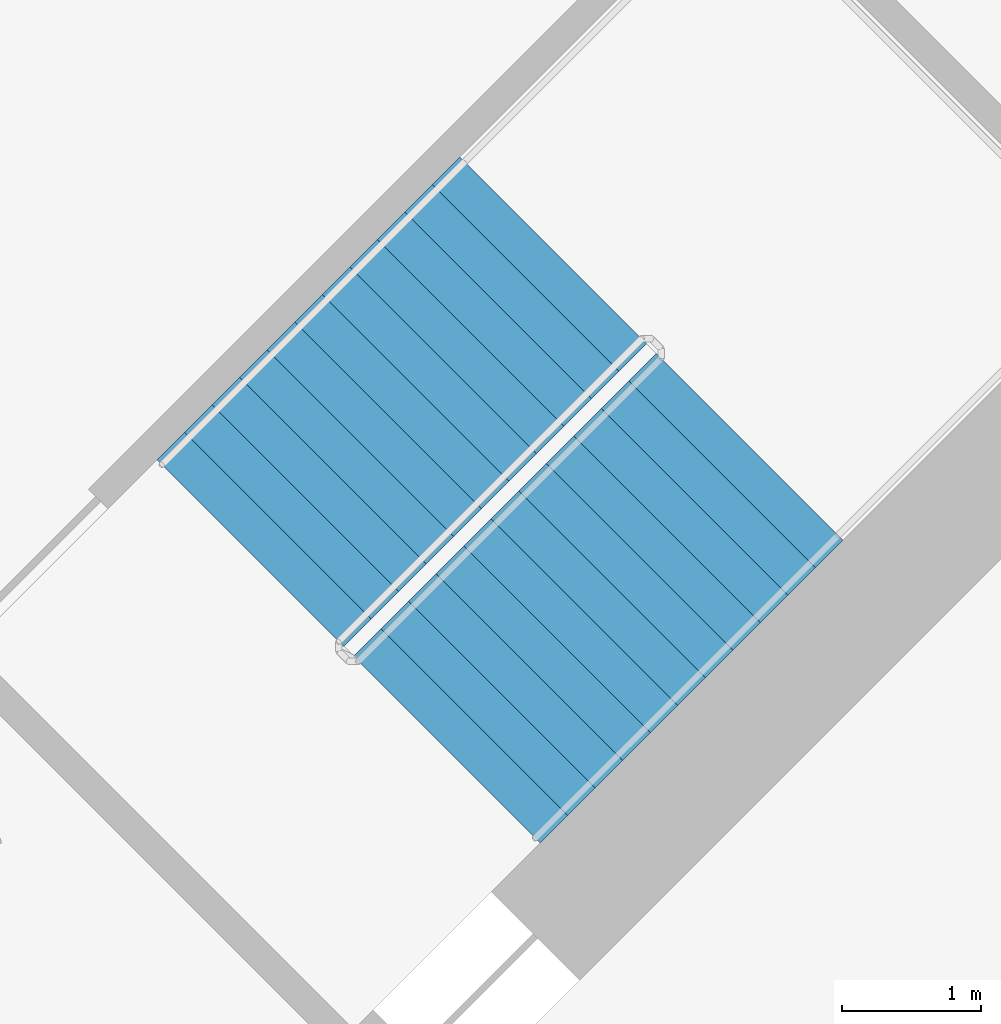
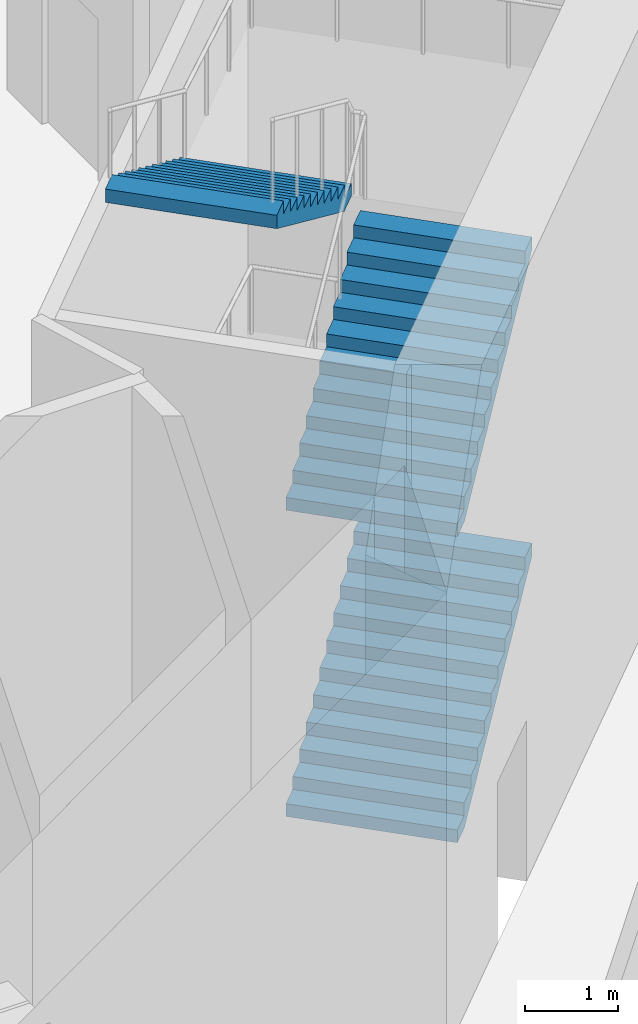
# One storey, part 16 of 30: 3 stair flights, 1 element without a shape of its own.
"""IFC4 building model written with IfcOpenShell, lengths in metres."""

from ifc_helpers import new_model, si_unit, direction, frame, origin, place, context, subcontext, project, spatial, triangles, material, type_object, element, aggregate, save


model = new_model("IFC4")

# Units and contexts
model_context = context("Model", 3, precision=1e-05, world=origin(), true_north=direction((0.0, 1.0)))
body_context = subcontext(model_context, "Body", "Model", "MODEL_VIEW")
ifc_project = project(units=[si_unit("LENGTHUNIT", "METRE"), si_unit("AREAUNIT", "SQUARE_METRE"), si_unit("VOLUMEUNIT", "CUBIC_METRE"), si_unit("PLANEANGLEUNIT", "RADIAN"), si_unit("MASSUNIT", "GRAM", prefix="KILO")], contexts=[model_context])

# Site, building, storey
site_placement = place(None, origin())
site = spatial("IfcSite", under=ifc_project, at=site_placement, CompositionType="ELEMENT")
building_placement = place(site_placement, origin())
building = spatial("IfcBuilding", under=site, at=building_placement, Name="Verdalira Terraces Hotel", CompositionType="ELEMENT")
storey_placement = place(building_placement, origin())
storey = spatial("IfcBuildingStorey", under=building, at=storey_placement, Name="L00", CompositionType="ELEMENT", Elevation=0.0)

# Stair, stair flights
ifc_material_1 = material(Name="Concrete C40", Category="concrete")
stair_type = type_object("IfcStairType", Name="Core stair 48 risers 1900 mm wide", PredefinedType="HALF_TURN_STAIR", material=ifc_material_1)
stair_placement = place(storey_placement, origin())
stair = element("IfcStair", 1, at=stair_placement, inside=storey, type_object=stair_type, Name="L00 Exit stair ST3", PredefinedType="HALF_TURN_STAIR")
ifc_material_2 = material(Name="Concrete C40", Category="concrete")
stair_flight_type = type_object("IfcStairFlightType", Name="Core stair flight 48 risers 1900 mm wide", PredefinedType="STRAIGHT", material=ifc_material_2)
stair_flight_1_placement = place(storey_placement, frame((7.177246, -10.005615, 0.0), z_axis=(0.0, 0.0, 1.0), x_axis=(0.707106781, 0.707106781, 0.0)))
stair_flight_1 = element("IfcStairFlight", 2, at=stair_flight_1_placement, type_object=stair_flight_type, Name="ST3 flight 1", NumberOfRisers=12, NumberOfTreads=11, PredefinedType="STRAIGHT", RiserHeight=0.166666667, TreadLength=0.28, context=body_context, shape_type="Tessellation", body=[
    triangles([(0.0, 0.949951, 0.0), (0.292969, 0.949951, 0.0), (3.080078, 0.949951, 1.658936), (0.0, -0.949951, 0.0), (0.292969, -0.949951, 0.0), (3.080078, -0.949951, 1.658936), (3.080078, 0.949951, 1.833252), (2.800049, 0.949951, 1.833252), (3.080078, -0.949951, 1.833252), (2.800049, -0.949951, 1.833252), (2.800049, 0.949951, 1.666748), (2.800049, -0.949951, 1.666748), (2.52002, 0.949951, 1.666748), (2.52002, -0.949951, 1.666748), (2.52002, 0.949951, 1.5), (2.52002, -0.949951, 1.5), (2.23999, 0.949951, 1.5), (2.23999, 0.949951, 1.333252), (2.23999, -0.949951, 1.5), (2.23999, -0.949951, 1.333252), (1.959961, 0.949951, 1.333252), (1.959961, 0.949951, 1.166748), (1.959961, -0.949951, 1.333252), (1.959961, -0.949951, 1.166748), (1.679932, 0.949951, 1.166748), (1.679932, 0.949951, 1.0), (1.679932, -0.949951, 1.166748), (1.679932, -0.949951, 1.0), (1.399902, 0.949951, 1.0), (1.399902, 0.949951, 0.833252), (1.399902, -0.949951, 1.0), (1.399902, -0.949951, 0.833252), (1.120117, 0.949951, 0.833252), (1.120117, 0.949951, 0.666748), (1.120117, -0.949951, 0.833252), (1.120117, -0.949951, 0.666748), (0.840088, 0.949951, 0.666748), (0.840088, 0.949951, 0.5), (0.840088, -0.949951, 0.666748), (0.840088, -0.949951, 0.5), (0.560059, 0.949951, 0.5), (0.560059, 0.949951, 0.333252), (0.560059, -0.949951, 0.5), (0.560059, -0.949951, 0.333252), (0.280029, 0.949951, 0.333252), (0.280029, 0.949951, 0.166748), (0.280029, -0.949951, 0.333252), (0.280029, -0.949951, 0.166748), (0.0, 0.949951, 0.166748), (0.0, -0.949951, 0.166748), (0.0, -0.890579, 0.0), (0.0, -0.890579, 0.166748), (0.0, -0.831207, 0.0), (0.0, -0.831207, 0.166748), (0.0, -0.771835, 0.0), (0.0, -0.771835, 0.166748), (0.0, -0.712463, 0.0), (0.0, -0.712463, 0.166748), (0.0, -0.653091, 0.0), (0.0, -0.653091, 0.166748), (0.0, -0.593719, 0.0), (0.0, -0.593719, 0.166748), (0.0, -0.534348, 0.0), (0.0, -0.534348, 0.166748), (0.0, -0.474976, 0.0), (0.0, -0.474976, 0.166748), (0.0, -0.415604, 0.0), (0.0, -0.415604, 0.166748), (0.0, -0.356232, 0.0), (0.0, -0.356232, 0.166748), (0.0, -0.29686, 0.0), (0.0, -0.29686, 0.166748), (0.0, -0.237488, 0.0), (0.0, -0.237488, 0.166748), (0.0, -0.178116, 0.0), (0.0, -0.178116, 0.166748), (0.0, -0.118744, 0.0), (0.0, -0.118744, 0.166748), (0.0, -0.059372, 0.0), (0.0, -0.059372, 0.166748), (0.0, 0.0, 0.0), (0.0, 0.0, 0.166748), (0.0, 0.059372, 0.0), (0.0, 0.059372, 0.166748), (0.0, 0.118744, 0.0), (0.0, 0.118744, 0.166748), (0.0, 0.178116, 0.0), (0.0, 0.178116, 0.166748), (0.0, 0.237488, 0.0), (0.0, 0.237488, 0.166748), (0.0, 0.29686, 0.0), (0.0, 0.29686, 0.166748), (0.0, 0.356232, 0.0), (0.0, 0.356232, 0.166748), (0.0, 0.415604, 0.0), (0.0, 0.415604, 0.166748), (0.0, 0.474976, 0.0), (0.0, 0.474976, 0.166748), (0.0, 0.534348, 0.0), (0.0, 0.534348, 0.166748), (0.0, 0.593719, 0.0), (0.0, 0.593719, 0.166748), (0.0, 0.653091, 0.0), (0.0, 0.653091, 0.166748), (0.0, 0.712463, 0.0), (0.0, 0.712463, 0.166748), (0.0, 0.771835, 0.0), (0.0, 0.771835, 0.166748), (0.0, 0.831207, 0.0), (0.0, 0.831207, 0.166748), (0.0, 0.890579, 0.0), (0.0, 0.890579, 0.166748), (3.080078, -0.890579, 1.833252), (3.080078, -0.831207, 1.833252), (3.080078, -0.771835, 1.833252), (3.080078, -0.712463, 1.833252), (3.080078, -0.653091, 1.833252), (3.080078, -0.593719, 1.833252), (3.080078, -0.534348, 1.833252), (3.080078, -0.474976, 1.833252), (3.080078, -0.415604, 1.833252), (3.080078, -0.356232, 1.833252), (3.080078, -0.29686, 1.833252), (3.080078, -0.237488, 1.833252), (3.080078, -0.178116, 1.833252), (3.080078, -0.118744, 1.833252), (3.080078, -0.059372, 1.833252), (3.080078, 0.0, 1.833252), (3.080078, 0.059372, 1.833252), (3.080078, 0.118744, 1.833252), (3.080078, 0.178116, 1.833252), (3.080078, 0.237488, 1.833252), (3.080078, 0.29686, 1.833252), (3.080078, 0.356232, 1.833252), (3.080078, 0.415604, 1.833252), (3.080078, 0.474976, 1.833252), (3.080078, 0.534348, 1.833252), (3.080078, 0.593719, 1.833252), (3.080078, 0.653091, 1.833252), (3.080078, 0.712463, 1.833252), (3.080078, 0.771835, 1.833252), (3.080078, 0.831207, 1.833252), (3.080078, 0.890579, 1.833252), (3.080078, -0.890579, 1.658936), (3.080078, -0.831207, 1.658936), (3.080078, -0.771835, 1.658936), (3.080078, -0.712463, 1.658936), (3.080078, -0.653091, 1.658936), (3.080078, -0.593719, 1.658936), (3.080078, -0.534348, 1.658936), (3.080078, -0.474976, 1.658936), (3.080078, -0.415604, 1.658936), (3.080078, -0.356232, 1.658936), (3.080078, -0.29686, 1.658936), (3.080078, -0.237488, 1.658936), (3.080078, -0.178116, 1.658936), (3.080078, -0.118744, 1.658936), (3.080078, -0.059372, 1.658936), (3.080078, 0.0, 1.658936), (3.080078, 0.059372, 1.658936), (3.080078, 0.118744, 1.658936), (3.080078, 0.178116, 1.658936), (3.080078, 0.237488, 1.658936), (3.080078, 0.29686, 1.658936), (3.080078, 0.356232, 1.658936), (3.080078, 0.415604, 1.658936), (3.080078, 0.474976, 1.658936), (3.080078, 0.534348, 1.658936), (3.080078, 0.593719, 1.658936), (3.080078, 0.653091, 1.658936), (3.080078, 0.712463, 1.658936), (3.080078, 0.771835, 1.658936), (3.080078, 0.831207, 1.658936), (3.080078, 0.890579, 1.658936)], [[1, 3, 2], [4, 5, 6], [3, 8, 7], [6, 9, 10], [3, 11, 8], [6, 10, 12], [3, 13, 11], [6, 12, 14], [3, 15, 13], [6, 14, 16], [15, 18, 17], [16, 19, 20], [3, 18, 15], [6, 16, 20], [18, 22, 21], [20, 23, 24], [3, 22, 18], [6, 20, 24], [22, 26, 25], [24, 27, 28], [3, 26, 22], [6, 24, 28], [26, 30, 29], [28, 31, 32], [3, 30, 26], [6, 28, 32], [30, 34, 33], [32, 35, 36], [3, 34, 30], [6, 32, 36], [34, 38, 37], [36, 39, 40], [3, 38, 34], [6, 36, 40], [38, 42, 41], [40, 43, 44], [3, 42, 38], [6, 40, 44], [1, 42, 3], [4, 6, 44], [42, 46, 45], [44, 47, 48], [1, 46, 42], [4, 44, 48], [46, 1, 49], [48, 50, 4], [4, 52, 51], [4, 50, 52], [51, 54, 53], [51, 52, 54], [53, 56, 55], [53, 54, 56], [55, 58, 57], [55, 56, 58], [57, 60, 59], [57, 58, 60], [59, 62, 61], [59, 60, 62], [61, 64, 63], [61, 62, 64], [63, 66, 65], [63, 64, 66], [65, 68, 67], [65, 66, 68], [67, 70, 69], [67, 68, 70], [69, 72, 71], [69, 70, 72], [71, 74, 73], [71, 72, 74], [73, 76, 75], [73, 74, 76], [75, 78, 77], [75, 76, 78], [77, 80, 79], [77, 78, 80], [79, 82, 81], [79, 80, 82], [81, 84, 83], [81, 82, 84], [83, 86, 85], [83, 84, 86], [85, 88, 87], [85, 86, 88], [87, 90, 89], [87, 88, 90], [89, 92, 91], [89, 90, 92], [91, 94, 93], [91, 92, 94], [93, 96, 95], [93, 94, 96], [95, 98, 97], [95, 96, 98], [97, 100, 99], [97, 98, 100], [99, 102, 101], [99, 100, 102], [101, 104, 103], [101, 102, 104], [103, 106, 105], [103, 104, 106], [105, 108, 107], [105, 106, 108], [107, 110, 109], [107, 108, 110], [109, 112, 111], [109, 110, 112], [111, 49, 1], [111, 112, 49], [50, 48, 52], [52, 48, 54], [54, 48, 56], [56, 48, 58], [58, 48, 60], [60, 48, 62], [62, 48, 64], [64, 48, 66], [66, 48, 68], [68, 48, 70], [70, 48, 72], [72, 48, 74], [74, 48, 76], [76, 48, 78], [78, 48, 80], [80, 48, 82], [82, 48, 84], [84, 48, 86], [86, 48, 88], [88, 48, 90], [90, 48, 92], [92, 48, 94], [94, 48, 96], [96, 48, 98], [98, 48, 100], [100, 48, 102], [102, 48, 104], [104, 48, 106], [106, 48, 108], [108, 48, 110], [110, 48, 112], [112, 48, 49], [49, 48, 46], [48, 45, 46], [48, 47, 45], [47, 42, 45], [47, 44, 42], [44, 41, 42], [44, 43, 41], [43, 38, 41], [43, 40, 38], [40, 37, 38], [40, 39, 37], [39, 34, 37], [39, 36, 34], [36, 33, 34], [36, 35, 33], [35, 30, 33], [35, 32, 30], [32, 29, 30], [32, 31, 29], [31, 26, 29], [31, 28, 26], [28, 25, 26], [28, 27, 25], [27, 22, 25], [27, 24, 22], [24, 21, 22], [24, 23, 21], [23, 18, 21], [23, 20, 18], [20, 17, 18], [20, 19, 17], [19, 15, 17], [19, 16, 15], [16, 13, 15], [16, 14, 13], [14, 11, 13], [14, 12, 11], [12, 8, 11], [12, 10, 8], [9, 113, 10], [113, 114, 10], [114, 115, 10], [115, 116, 10], [116, 117, 10], [117, 118, 10], [118, 119, 10], [119, 120, 10], [120, 121, 10], [121, 122, 10], [122, 123, 10], [123, 124, 10], [124, 125, 10], [125, 126, 10], [126, 127, 10], [127, 128, 10], [128, 129, 10], [129, 130, 10], [130, 131, 10], [131, 132, 10], [132, 133, 10], [133, 134, 10], [134, 135, 10], [135, 136, 10], [136, 137, 10], [137, 138, 10], [138, 139, 10], [139, 140, 10], [140, 141, 10], [141, 142, 10], [142, 143, 10], [143, 7, 10], [7, 8, 10], [9, 144, 113], [9, 6, 144], [113, 145, 114], [113, 144, 145], [114, 146, 115], [114, 145, 146], [115, 147, 116], [115, 146, 147], [116, 148, 117], [116, 147, 148], [117, 149, 118], [117, 148, 149], [118, 150, 119], [118, 149, 150], [119, 151, 120], [119, 150, 151], [120, 152, 121], [120, 151, 152], [121, 153, 122], [121, 152, 153], [122, 154, 123], [122, 153, 154], [123, 155, 124], [123, 154, 155], [124, 156, 125], [124, 155, 156], [125, 157, 126], [125, 156, 157], [126, 158, 127], [126, 157, 158], [127, 159, 128], [127, 158, 159], [128, 160, 129], [128, 159, 160], [129, 161, 130], [129, 160, 161], [130, 162, 131], [130, 161, 162], [131, 163, 132], [131, 162, 163], [132, 164, 133], [132, 163, 164], [133, 165, 134], [133, 164, 165], [134, 166, 135], [134, 165, 166], [135, 167, 136], [135, 166, 167], [136, 168, 137], [136, 167, 168], [137, 169, 138], [137, 168, 169], [138, 170, 139], [138, 169, 170], [139, 171, 140], [139, 170, 171], [140, 172, 141], [140, 171, 172], [141, 173, 142], [141, 172, 173], [142, 174, 143], [142, 173, 174], [143, 3, 7], [143, 174, 3], [6, 5, 144], [144, 5, 145], [145, 5, 146], [146, 5, 147], [147, 5, 148], [148, 5, 149], [149, 5, 150], [150, 5, 151], [151, 5, 152], [152, 5, 153], [153, 5, 154], [154, 5, 155], [155, 5, 156], [156, 5, 157], [157, 5, 158], [158, 5, 159], [159, 5, 160], [160, 5, 161], [161, 5, 162], [162, 5, 163], [163, 5, 164], [164, 5, 165], [165, 5, 166], [166, 5, 167], [167, 5, 168], [168, 5, 169], [169, 5, 170], [170, 5, 171], [171, 5, 172], [172, 5, 173], [173, 5, 174], [174, 5, 3], [3, 5, 2], [4, 51, 5], [51, 53, 5], [53, 55, 5], [55, 57, 5], [57, 59, 5], [59, 61, 5], [61, 63, 5], [63, 65, 5], [65, 67, 5], [67, 69, 5], [69, 71, 5], [71, 73, 5], [73, 75, 5], [75, 77, 5], [77, 79, 5], [79, 81, 5], [81, 83, 5], [83, 85, 5], [85, 87, 5], [87, 89, 5], [89, 91, 5], [91, 93, 5], [93, 95, 5], [95, 97, 5], [97, 99, 5], [99, 101, 5], [101, 103, 5], [103, 105, 5], [105, 107, 5], [107, 109, 5], [109, 111, 5], [111, 1, 5], [1, 2, 5]], closed=True),
])
stair_flight_2_placement = place(storey_placement, frame((7.177246, -10.005615, 4.0), z_axis=(0.0, 0.0, 1.0), x_axis=(0.707106781, 0.707106781, 0.0)))
stair_flight_2 = element("IfcStairFlight", 3, at=stair_flight_2_placement, type_object=stair_flight_type, Name="ST3 flight 3", NumberOfRisers=12, NumberOfTreads=11, PredefinedType="STRAIGHT", RiserHeight=0.166666667, TreadLength=0.28, context=body_context, shape_type="Tessellation", body=[
    triangles([(0.0, 0.949951, 0.0), (0.292969, 0.949951, 0.0), (3.080078, 0.949951, 1.658936), (0.0, -0.949951, 0.0), (0.292969, -0.949951, 0.0), (3.080078, -0.949951, 1.658936), (3.080078, 0.949951, 1.833252), (2.800049, 0.949951, 1.833252), (3.080078, -0.949951, 1.833252), (2.800049, -0.949951, 1.833252), (2.800049, 0.949951, 1.666748), (2.800049, -0.949951, 1.666748), (2.52002, 0.949951, 1.666748), (2.52002, -0.949951, 1.666748), (2.52002, 0.949951, 1.5), (2.52002, -0.949951, 1.5), (2.23999, 0.949951, 1.5), (2.23999, 0.949951, 1.333252), (2.23999, -0.949951, 1.5), (2.23999, -0.949951, 1.333252), (1.959961, 0.949951, 1.333252), (1.959961, 0.949951, 1.166748), (1.959961, -0.949951, 1.333252), (1.959961, -0.949951, 1.166748), (1.679932, 0.949951, 1.166748), (1.679932, 0.949951, 1.0), (1.679932, -0.949951, 1.166748), (1.679932, -0.949951, 1.0), (1.399902, 0.949951, 1.0), (1.399902, 0.949951, 0.833252), (1.399902, -0.949951, 1.0), (1.399902, -0.949951, 0.833252), (1.120117, 0.949951, 0.833252), (1.120117, 0.949951, 0.666748), (1.120117, -0.949951, 0.833252), (1.120117, -0.949951, 0.666748), (0.840088, 0.949951, 0.666748), (0.840088, 0.949951, 0.5), (0.840088, -0.949951, 0.666748), (0.840088, -0.949951, 0.5), (0.560059, 0.949951, 0.5), (0.560059, 0.949951, 0.333252), (0.560059, -0.949951, 0.5), (0.560059, -0.949951, 0.333252), (0.280029, 0.949951, 0.333252), (0.280029, 0.949951, 0.166748), (0.280029, -0.949951, 0.333252), (0.280029, -0.949951, 0.166748), (0.0, 0.949951, 0.166748), (0.0, -0.949951, 0.166748), (0.0, -0.890579, 0.0), (0.0, -0.890579, 0.166748), (0.0, -0.831207, 0.0), (0.0, -0.831207, 0.166748), (0.0, -0.771835, 0.0), (0.0, -0.771835, 0.166748), (0.0, -0.712463, 0.0), (0.0, -0.712463, 0.166748), (0.0, -0.653091, 0.0), (0.0, -0.653091, 0.166748), (0.0, -0.593719, 0.0), (0.0, -0.593719, 0.166748), (0.0, -0.534348, 0.0), (0.0, -0.534348, 0.166748), (0.0, -0.474976, 0.0), (0.0, -0.474976, 0.166748), (0.0, -0.415604, 0.0), (0.0, -0.415604, 0.166748), (0.0, -0.356232, 0.0), (0.0, -0.356232, 0.166748), (0.0, -0.29686, 0.0), (0.0, -0.29686, 0.166748), (0.0, -0.237488, 0.0), (0.0, -0.237488, 0.166748), (0.0, -0.178116, 0.0), (0.0, -0.178116, 0.166748), (0.0, -0.118744, 0.0), (0.0, -0.118744, 0.166748), (0.0, -0.059372, 0.0), (0.0, -0.059372, 0.166748), (0.0, 0.0, 0.0), (0.0, 0.0, 0.166748), (0.0, 0.059372, 0.0), (0.0, 0.059372, 0.166748), (0.0, 0.118744, 0.0), (0.0, 0.118744, 0.166748), (0.0, 0.178116, 0.0), (0.0, 0.178116, 0.166748), (0.0, 0.237488, 0.0), (0.0, 0.237488, 0.166748), (0.0, 0.29686, 0.0), (0.0, 0.29686, 0.166748), (0.0, 0.356232, 0.0), (0.0, 0.356232, 0.166748), (0.0, 0.415604, 0.0), (0.0, 0.415604, 0.166748), (0.0, 0.474976, 0.0), (0.0, 0.474976, 0.166748), (0.0, 0.534348, 0.0), (0.0, 0.534348, 0.166748), (0.0, 0.593719, 0.0), (0.0, 0.593719, 0.166748), (0.0, 0.653091, 0.0), (0.0, 0.653091, 0.166748), (0.0, 0.712463, 0.0), (0.0, 0.712463, 0.166748), (0.0, 0.771835, 0.0), (0.0, 0.771835, 0.166748), (0.0, 0.831207, 0.0), (0.0, 0.831207, 0.166748), (0.0, 0.890579, 0.0), (0.0, 0.890579, 0.166748), (3.080078, -0.890579, 1.833252), (3.080078, -0.831207, 1.833252), (3.080078, -0.771835, 1.833252), (3.080078, -0.712463, 1.833252), (3.080078, -0.653091, 1.833252), (3.080078, -0.593719, 1.833252), (3.080078, -0.534348, 1.833252), (3.080078, -0.474976, 1.833252), (3.080078, -0.415604, 1.833252), (3.080078, -0.356232, 1.833252), (3.080078, -0.29686, 1.833252), (3.080078, -0.237488, 1.833252), (3.080078, -0.178116, 1.833252), (3.080078, -0.118744, 1.833252), (3.080078, -0.059372, 1.833252), (3.080078, 0.0, 1.833252), (3.080078, 0.059372, 1.833252), (3.080078, 0.118744, 1.833252), (3.080078, 0.178116, 1.833252), (3.080078, 0.237488, 1.833252), (3.080078, 0.29686, 1.833252), (3.080078, 0.356232, 1.833252), (3.080078, 0.415604, 1.833252), (3.080078, 0.474976, 1.833252), (3.080078, 0.534348, 1.833252), (3.080078, 0.593719, 1.833252), (3.080078, 0.653091, 1.833252), (3.080078, 0.712463, 1.833252), (3.080078, 0.771835, 1.833252), (3.080078, 0.831207, 1.833252), (3.080078, 0.890579, 1.833252), (3.080078, -0.890579, 1.658936), (3.080078, -0.831207, 1.658936), (3.080078, -0.771835, 1.658936), (3.080078, -0.712463, 1.658936), (3.080078, -0.653091, 1.658936), (3.080078, -0.593719, 1.658936), (3.080078, -0.534348, 1.658936), (3.080078, -0.474976, 1.658936), (3.080078, -0.415604, 1.658936), (3.080078, -0.356232, 1.658936), (3.080078, -0.29686, 1.658936), (3.080078, -0.237488, 1.658936), (3.080078, -0.178116, 1.658936), (3.080078, -0.118744, 1.658936), (3.080078, -0.059372, 1.658936), (3.080078, 0.0, 1.658936), (3.080078, 0.059372, 1.658936), (3.080078, 0.118744, 1.658936), (3.080078, 0.178116, 1.658936), (3.080078, 0.237488, 1.658936), (3.080078, 0.29686, 1.658936), (3.080078, 0.356232, 1.658936), (3.080078, 0.415604, 1.658936), (3.080078, 0.474976, 1.658936), (3.080078, 0.534348, 1.658936), (3.080078, 0.593719, 1.658936), (3.080078, 0.653091, 1.658936), (3.080078, 0.712463, 1.658936), (3.080078, 0.771835, 1.658936), (3.080078, 0.831207, 1.658936), (3.080078, 0.890579, 1.658936)], [[1, 3, 2], [4, 5, 6], [3, 8, 7], [6, 9, 10], [3, 11, 8], [6, 10, 12], [3, 13, 11], [6, 12, 14], [3, 15, 13], [6, 14, 16], [15, 18, 17], [16, 19, 20], [3, 18, 15], [6, 16, 20], [18, 22, 21], [20, 23, 24], [3, 22, 18], [6, 20, 24], [22, 26, 25], [24, 27, 28], [3, 26, 22], [6, 24, 28], [26, 30, 29], [28, 31, 32], [3, 30, 26], [6, 28, 32], [30, 34, 33], [32, 35, 36], [3, 34, 30], [6, 32, 36], [34, 38, 37], [36, 39, 40], [3, 38, 34], [6, 36, 40], [38, 42, 41], [40, 43, 44], [3, 42, 38], [6, 40, 44], [1, 42, 3], [4, 6, 44], [42, 46, 45], [44, 47, 48], [1, 46, 42], [4, 44, 48], [46, 1, 49], [48, 50, 4], [4, 52, 51], [4, 50, 52], [51, 54, 53], [51, 52, 54], [53, 56, 55], [53, 54, 56], [55, 58, 57], [55, 56, 58], [57, 60, 59], [57, 58, 60], [59, 62, 61], [59, 60, 62], [61, 64, 63], [61, 62, 64], [63, 66, 65], [63, 64, 66], [65, 68, 67], [65, 66, 68], [67, 70, 69], [67, 68, 70], [69, 72, 71], [69, 70, 72], [71, 74, 73], [71, 72, 74], [73, 76, 75], [73, 74, 76], [75, 78, 77], [75, 76, 78], [77, 80, 79], [77, 78, 80], [79, 82, 81], [79, 80, 82], [81, 84, 83], [81, 82, 84], [83, 86, 85], [83, 84, 86], [85, 88, 87], [85, 86, 88], [87, 90, 89], [87, 88, 90], [89, 92, 91], [89, 90, 92], [91, 94, 93], [91, 92, 94], [93, 96, 95], [93, 94, 96], [95, 98, 97], [95, 96, 98], [97, 100, 99], [97, 98, 100], [99, 102, 101], [99, 100, 102], [101, 104, 103], [101, 102, 104], [103, 106, 105], [103, 104, 106], [105, 108, 107], [105, 106, 108], [107, 110, 109], [107, 108, 110], [109, 112, 111], [109, 110, 112], [111, 49, 1], [111, 112, 49], [50, 48, 52], [52, 48, 54], [54, 48, 56], [56, 48, 58], [58, 48, 60], [60, 48, 62], [62, 48, 64], [64, 48, 66], [66, 48, 68], [68, 48, 70], [70, 48, 72], [72, 48, 74], [74, 48, 76], [76, 48, 78], [78, 48, 80], [80, 48, 82], [82, 48, 84], [84, 48, 86], [86, 48, 88], [88, 48, 90], [90, 48, 92], [92, 48, 94], [94, 48, 96], [96, 48, 98], [98, 48, 100], [100, 48, 102], [102, 48, 104], [104, 48, 106], [106, 48, 108], [108, 48, 110], [110, 48, 112], [112, 48, 49], [49, 48, 46], [48, 45, 46], [48, 47, 45], [47, 42, 45], [47, 44, 42], [44, 41, 42], [44, 43, 41], [43, 38, 41], [43, 40, 38], [40, 37, 38], [40, 39, 37], [39, 34, 37], [39, 36, 34], [36, 33, 34], [36, 35, 33], [35, 30, 33], [35, 32, 30], [32, 29, 30], [32, 31, 29], [31, 26, 29], [31, 28, 26], [28, 25, 26], [28, 27, 25], [27, 22, 25], [27, 24, 22], [24, 21, 22], [24, 23, 21], [23, 18, 21], [23, 20, 18], [20, 17, 18], [20, 19, 17], [19, 15, 17], [19, 16, 15], [16, 13, 15], [16, 14, 13], [14, 11, 13], [14, 12, 11], [12, 8, 11], [12, 10, 8], [9, 113, 10], [113, 114, 10], [114, 115, 10], [115, 116, 10], [116, 117, 10], [117, 118, 10], [118, 119, 10], [119, 120, 10], [120, 121, 10], [121, 122, 10], [122, 123, 10], [123, 124, 10], [124, 125, 10], [125, 126, 10], [126, 127, 10], [127, 128, 10], [128, 129, 10], [129, 130, 10], [130, 131, 10], [131, 132, 10], [132, 133, 10], [133, 134, 10], [134, 135, 10], [135, 136, 10], [136, 137, 10], [137, 138, 10], [138, 139, 10], [139, 140, 10], [140, 141, 10], [141, 142, 10], [142, 143, 10], [143, 7, 10], [7, 8, 10], [9, 144, 113], [9, 6, 144], [113, 145, 114], [113, 144, 145], [114, 146, 115], [114, 145, 146], [115, 147, 116], [115, 146, 147], [116, 148, 117], [116, 147, 148], [117, 149, 118], [117, 148, 149], [118, 150, 119], [118, 149, 150], [119, 151, 120], [119, 150, 151], [120, 152, 121], [120, 151, 152], [121, 153, 122], [121, 152, 153], [122, 154, 123], [122, 153, 154], [123, 155, 124], [123, 154, 155], [124, 156, 125], [124, 155, 156], [125, 157, 126], [125, 156, 157], [126, 158, 127], [126, 157, 158], [127, 159, 128], [127, 158, 159], [128, 160, 129], [128, 159, 160], [129, 161, 130], [129, 160, 161], [130, 162, 131], [130, 161, 162], [131, 163, 132], [131, 162, 163], [132, 164, 133], [132, 163, 164], [133, 165, 134], [133, 164, 165], [134, 166, 135], [134, 165, 166], [135, 167, 136], [135, 166, 167], [136, 168, 137], [136, 167, 168], [137, 169, 138], [137, 168, 169], [138, 170, 139], [138, 169, 170], [139, 171, 140], [139, 170, 171], [140, 172, 141], [140, 171, 172], [141, 173, 142], [141, 172, 173], [142, 174, 143], [142, 173, 174], [143, 3, 7], [143, 174, 3], [6, 5, 144], [144, 5, 145], [145, 5, 146], [146, 5, 147], [147, 5, 148], [148, 5, 149], [149, 5, 150], [150, 5, 151], [151, 5, 152], [152, 5, 153], [153, 5, 154], [154, 5, 155], [155, 5, 156], [156, 5, 157], [157, 5, 158], [158, 5, 159], [159, 5, 160], [160, 5, 161], [161, 5, 162], [162, 5, 163], [163, 5, 164], [164, 5, 165], [165, 5, 166], [166, 5, 167], [167, 5, 168], [168, 5, 169], [169, 5, 170], [170, 5, 171], [171, 5, 172], [172, 5, 173], [173, 5, 174], [174, 5, 3], [3, 5, 2], [4, 51, 5], [51, 53, 5], [53, 55, 5], [55, 57, 5], [57, 59, 5], [59, 61, 5], [61, 63, 5], [63, 65, 5], [65, 67, 5], [67, 69, 5], [69, 71, 5], [71, 73, 5], [73, 75, 5], [75, 77, 5], [77, 79, 5], [79, 81, 5], [81, 83, 5], [83, 85, 5], [85, 87, 5], [87, 89, 5], [89, 91, 5], [91, 93, 5], [93, 95, 5], [95, 97, 5], [97, 99, 5], [99, 101, 5], [101, 103, 5], [103, 105, 5], [105, 107, 5], [107, 109, 5], [109, 111, 5], [111, 1, 5], [1, 2, 5]], closed=True),
])
stair_flight_3_placement = place(storey_placement, frame((7.940918, -6.413574, 6.0), z_axis=(0.0, 0.0, 1.0), x_axis=(-0.707106781, -0.707106781, 0.0)))
stair_flight_3 = element("IfcStairFlight", 4, at=stair_flight_3_placement, type_object=stair_flight_type, Name="ST3 flight 4", NumberOfRisers=12, NumberOfTreads=11, PredefinedType="STRAIGHT", RiserHeight=0.166666667, TreadLength=0.28, context=body_context, shape_type="Tessellation", body=[
    triangles([(0.0, 0.949951, 0.0), (0.292969, 0.949951, 0.0), (3.080078, 0.949951, 1.658936), (0.0, -0.949951, 0.0), (0.292969, -0.949951, 0.0), (3.080078, -0.949951, 1.658936), (3.080078, 0.949951, 1.833252), (2.800049, 0.949951, 1.833252), (3.080078, -0.949951, 1.833252), (2.800049, -0.949951, 1.833252), (2.800049, 0.949951, 1.666748), (2.800049, -0.949951, 1.666748), (2.52002, 0.949951, 1.666748), (2.52002, -0.949951, 1.666748), (2.52002, 0.949951, 1.5), (2.52002, -0.949951, 1.5), (2.23999, 0.949951, 1.5), (2.23999, 0.949951, 1.333252), (2.23999, -0.949951, 1.5), (2.23999, -0.949951, 1.333252), (1.959961, 0.949951, 1.333252), (1.959961, 0.949951, 1.166748), (1.959961, -0.949951, 1.333252), (1.959961, -0.949951, 1.166748), (1.679932, 0.949951, 1.166748), (1.679932, 0.949951, 1.0), (1.679932, -0.949951, 1.166748), (1.679932, -0.949951, 1.0), (1.399902, 0.949951, 1.0), (1.399902, 0.949951, 0.833252), (1.399902, -0.949951, 1.0), (1.399902, -0.949951, 0.833252), (1.120117, 0.949951, 0.833252), (1.120117, 0.949951, 0.666748), (1.120117, -0.949951, 0.833252), (1.120117, -0.949951, 0.666748), (0.840088, 0.949951, 0.666748), (0.840088, 0.949951, 0.5), (0.840088, -0.949951, 0.666748), (0.840088, -0.949951, 0.5), (0.560059, 0.949951, 0.5), (0.560059, 0.949951, 0.333252), (0.560059, -0.949951, 0.5), (0.560059, -0.949951, 0.333252), (0.280029, 0.949951, 0.333252), (0.280029, 0.949951, 0.166748), (0.280029, -0.949951, 0.333252), (0.280029, -0.949951, 0.166748), (0.0, 0.949951, 0.166748), (0.0, -0.949951, 0.166748), (0.0, -0.890579, 0.0), (0.0, -0.890579, 0.166748), (0.0, -0.831207, 0.0), (0.0, -0.831207, 0.166748), (0.0, -0.771835, 0.0), (0.0, -0.771835, 0.166748), (0.0, -0.712463, 0.0), (0.0, -0.712463, 0.166748), (0.0, -0.653091, 0.0), (0.0, -0.653091, 0.166748), (0.0, -0.593719, 0.0), (0.0, -0.593719, 0.166748), (0.0, -0.534348, 0.0), (0.0, -0.534348, 0.166748), (0.0, -0.474976, 0.0), (0.0, -0.474976, 0.166748), (0.0, -0.415604, 0.0), (0.0, -0.415604, 0.166748), (0.0, -0.356232, 0.0), (0.0, -0.356232, 0.166748), (0.0, -0.29686, 0.0), (0.0, -0.29686, 0.166748), (0.0, -0.237488, 0.0), (0.0, -0.237488, 0.166748), (0.0, -0.178116, 0.0), (0.0, -0.178116, 0.166748), (0.0, -0.118744, 0.0), (0.0, -0.118744, 0.166748), (0.0, -0.059372, 0.0), (0.0, -0.059372, 0.166748), (0.0, 0.0, 0.0), (0.0, 0.0, 0.166748), (0.0, 0.059372, 0.0), (0.0, 0.059372, 0.166748), (0.0, 0.118744, 0.0), (0.0, 0.118744, 0.166748), (0.0, 0.178116, 0.0), (0.0, 0.178116, 0.166748), (0.0, 0.237488, 0.0), (0.0, 0.237488, 0.166748), (0.0, 0.29686, 0.0), (0.0, 0.29686, 0.166748), (0.0, 0.356232, 0.0), (0.0, 0.356232, 0.166748), (0.0, 0.415604, 0.0), (0.0, 0.415604, 0.166748), (0.0, 0.474976, 0.0), (0.0, 0.474976, 0.166748), (0.0, 0.534348, 0.0), (0.0, 0.534348, 0.166748), (0.0, 0.593719, 0.0), (0.0, 0.593719, 0.166748), (0.0, 0.653091, 0.0), (0.0, 0.653091, 0.166748), (0.0, 0.712463, 0.0), (0.0, 0.712463, 0.166748), (0.0, 0.771835, 0.0), (0.0, 0.771835, 0.166748), (0.0, 0.831207, 0.0), (0.0, 0.831207, 0.166748), (0.0, 0.890579, 0.0), (0.0, 0.890579, 0.166748), (3.080078, -0.890579, 1.833252), (3.080078, -0.831207, 1.833252), (3.080078, -0.771835, 1.833252), (3.080078, -0.712463, 1.833252), (3.080078, -0.653091, 1.833252), (3.080078, -0.593719, 1.833252), (3.080078, -0.534348, 1.833252), (3.080078, -0.474976, 1.833252), (3.080078, -0.415604, 1.833252), (3.080078, -0.356232, 1.833252), (3.080078, -0.29686, 1.833252), (3.080078, -0.237488, 1.833252), (3.080078, -0.178116, 1.833252), (3.080078, -0.118744, 1.833252), (3.080078, -0.059372, 1.833252), (3.080078, 0.0, 1.833252), (3.080078, 0.059372, 1.833252), (3.080078, 0.118744, 1.833252), (3.080078, 0.178116, 1.833252), (3.080078, 0.237488, 1.833252), (3.080078, 0.29686, 1.833252), (3.080078, 0.356232, 1.833252), (3.080078, 0.415604, 1.833252), (3.080078, 0.474976, 1.833252), (3.080078, 0.534348, 1.833252), (3.080078, 0.593719, 1.833252), (3.080078, 0.653091, 1.833252), (3.080078, 0.712463, 1.833252), (3.080078, 0.771835, 1.833252), (3.080078, 0.831207, 1.833252), (3.080078, 0.890579, 1.833252), (3.080078, -0.890579, 1.658936), (3.080078, -0.831207, 1.658936), (3.080078, -0.771835, 1.658936), (3.080078, -0.712463, 1.658936), (3.080078, -0.653091, 1.658936), (3.080078, -0.593719, 1.658936), (3.080078, -0.534348, 1.658936), (3.080078, -0.474976, 1.658936), (3.080078, -0.415604, 1.658936), (3.080078, -0.356232, 1.658936), (3.080078, -0.29686, 1.658936), (3.080078, -0.237488, 1.658936), (3.080078, -0.178116, 1.658936), (3.080078, -0.118744, 1.658936), (3.080078, -0.059372, 1.658936), (3.080078, 0.0, 1.658936), (3.080078, 0.059372, 1.658936), (3.080078, 0.118744, 1.658936), (3.080078, 0.178116, 1.658936), (3.080078, 0.237488, 1.658936), (3.080078, 0.29686, 1.658936), (3.080078, 0.356232, 1.658936), (3.080078, 0.415604, 1.658936), (3.080078, 0.474976, 1.658936), (3.080078, 0.534348, 1.658936), (3.080078, 0.593719, 1.658936), (3.080078, 0.653091, 1.658936), (3.080078, 0.712463, 1.658936), (3.080078, 0.771835, 1.658936), (3.080078, 0.831207, 1.658936), (3.080078, 0.890579, 1.658936)], [[1, 3, 2], [4, 5, 6], [3, 8, 7], [6, 9, 10], [3, 11, 8], [6, 10, 12], [3, 13, 11], [6, 12, 14], [3, 15, 13], [6, 14, 16], [15, 18, 17], [16, 19, 20], [3, 18, 15], [6, 16, 20], [18, 22, 21], [20, 23, 24], [3, 22, 18], [6, 20, 24], [22, 26, 25], [24, 27, 28], [3, 26, 22], [6, 24, 28], [26, 30, 29], [28, 31, 32], [3, 30, 26], [6, 28, 32], [30, 34, 33], [32, 35, 36], [3, 34, 30], [6, 32, 36], [34, 38, 37], [36, 39, 40], [3, 38, 34], [6, 36, 40], [38, 42, 41], [40, 43, 44], [3, 42, 38], [6, 40, 44], [1, 42, 3], [4, 6, 44], [42, 46, 45], [44, 47, 48], [1, 46, 42], [4, 44, 48], [46, 1, 49], [48, 50, 4], [4, 52, 51], [4, 50, 52], [51, 54, 53], [51, 52, 54], [53, 56, 55], [53, 54, 56], [55, 58, 57], [55, 56, 58], [57, 60, 59], [57, 58, 60], [59, 62, 61], [59, 60, 62], [61, 64, 63], [61, 62, 64], [63, 66, 65], [63, 64, 66], [65, 68, 67], [65, 66, 68], [67, 70, 69], [67, 68, 70], [69, 72, 71], [69, 70, 72], [71, 74, 73], [71, 72, 74], [73, 76, 75], [73, 74, 76], [75, 78, 77], [75, 76, 78], [77, 80, 79], [77, 78, 80], [79, 82, 81], [79, 80, 82], [81, 84, 83], [81, 82, 84], [83, 86, 85], [83, 84, 86], [85, 88, 87], [85, 86, 88], [87, 90, 89], [87, 88, 90], [89, 92, 91], [89, 90, 92], [91, 94, 93], [91, 92, 94], [93, 96, 95], [93, 94, 96], [95, 98, 97], [95, 96, 98], [97, 100, 99], [97, 98, 100], [99, 102, 101], [99, 100, 102], [101, 104, 103], [101, 102, 104], [103, 106, 105], [103, 104, 106], [105, 108, 107], [105, 106, 108], [107, 110, 109], [107, 108, 110], [109, 112, 111], [109, 110, 112], [111, 49, 1], [111, 112, 49], [50, 48, 52], [52, 48, 54], [54, 48, 56], [56, 48, 58], [58, 48, 60], [60, 48, 62], [62, 48, 64], [64, 48, 66], [66, 48, 68], [68, 48, 70], [70, 48, 72], [72, 48, 74], [74, 48, 76], [76, 48, 78], [78, 48, 80], [80, 48, 82], [82, 48, 84], [84, 48, 86], [86, 48, 88], [88, 48, 90], [90, 48, 92], [92, 48, 94], [94, 48, 96], [96, 48, 98], [98, 48, 100], [100, 48, 102], [102, 48, 104], [104, 48, 106], [106, 48, 108], [108, 48, 110], [110, 48, 112], [112, 48, 49], [49, 48, 46], [48, 45, 46], [48, 47, 45], [47, 42, 45], [47, 44, 42], [44, 41, 42], [44, 43, 41], [43, 38, 41], [43, 40, 38], [40, 37, 38], [40, 39, 37], [39, 34, 37], [39, 36, 34], [36, 33, 34], [36, 35, 33], [35, 30, 33], [35, 32, 30], [32, 29, 30], [32, 31, 29], [31, 26, 29], [31, 28, 26], [28, 25, 26], [28, 27, 25], [27, 22, 25], [27, 24, 22], [24, 21, 22], [24, 23, 21], [23, 18, 21], [23, 20, 18], [20, 17, 18], [20, 19, 17], [19, 15, 17], [19, 16, 15], [16, 13, 15], [16, 14, 13], [14, 11, 13], [14, 12, 11], [12, 8, 11], [12, 10, 8], [9, 113, 10], [113, 114, 10], [114, 115, 10], [115, 116, 10], [116, 117, 10], [117, 118, 10], [118, 119, 10], [119, 120, 10], [120, 121, 10], [121, 122, 10], [122, 123, 10], [123, 124, 10], [124, 125, 10], [125, 126, 10], [126, 127, 10], [127, 128, 10], [128, 129, 10], [129, 130, 10], [130, 131, 10], [131, 132, 10], [132, 133, 10], [133, 134, 10], [134, 135, 10], [135, 136, 10], [136, 137, 10], [137, 138, 10], [138, 139, 10], [139, 140, 10], [140, 141, 10], [141, 142, 10], [142, 143, 10], [143, 7, 10], [7, 8, 10], [9, 144, 113], [9, 6, 144], [113, 145, 114], [113, 144, 145], [114, 146, 115], [114, 145, 146], [115, 147, 116], [115, 146, 147], [116, 148, 117], [116, 147, 148], [117, 149, 118], [117, 148, 149], [118, 150, 119], [118, 149, 150], [119, 151, 120], [119, 150, 151], [120, 152, 121], [120, 151, 152], [121, 153, 122], [121, 152, 153], [122, 154, 123], [122, 153, 154], [123, 155, 124], [123, 154, 155], [124, 156, 125], [124, 155, 156], [125, 157, 126], [125, 156, 157], [126, 158, 127], [126, 157, 158], [127, 159, 128], [127, 158, 159], [128, 160, 129], [128, 159, 160], [129, 161, 130], [129, 160, 161], [130, 162, 131], [130, 161, 162], [131, 163, 132], [131, 162, 163], [132, 164, 133], [132, 163, 164], [133, 165, 134], [133, 164, 165], [134, 166, 135], [134, 165, 166], [135, 167, 136], [135, 166, 167], [136, 168, 137], [136, 167, 168], [137, 169, 138], [137, 168, 169], [138, 170, 139], [138, 169, 170], [139, 171, 140], [139, 170, 171], [140, 172, 141], [140, 171, 172], [141, 173, 142], [141, 172, 173], [142, 174, 143], [142, 173, 174], [143, 3, 7], [143, 174, 3], [6, 5, 144], [144, 5, 145], [145, 5, 146], [146, 5, 147], [147, 5, 148], [148, 5, 149], [149, 5, 150], [150, 5, 151], [151, 5, 152], [152, 5, 153], [153, 5, 154], [154, 5, 155], [155, 5, 156], [156, 5, 157], [157, 5, 158], [158, 5, 159], [159, 5, 160], [160, 5, 161], [161, 5, 162], [162, 5, 163], [163, 5, 164], [164, 5, 165], [165, 5, 166], [166, 5, 167], [167, 5, 168], [168, 5, 169], [169, 5, 170], [170, 5, 171], [171, 5, 172], [172, 5, 173], [173, 5, 174], [174, 5, 3], [3, 5, 2], [4, 51, 5], [51, 53, 5], [53, 55, 5], [55, 57, 5], [57, 59, 5], [59, 61, 5], [61, 63, 5], [63, 65, 5], [65, 67, 5], [67, 69, 5], [69, 71, 5], [71, 73, 5], [73, 75, 5], [75, 77, 5], [77, 79, 5], [79, 81, 5], [81, 83, 5], [83, 85, 5], [85, 87, 5], [87, 89, 5], [89, 91, 5], [91, 93, 5], [93, 95, 5], [95, 97, 5], [97, 99, 5], [99, 101, 5], [101, 103, 5], [103, 105, 5], [105, 107, 5], [107, 109, 5], [109, 111, 5], [111, 1, 5], [1, 2, 5]], closed=True),
])
aggregate(stair, [stair_flight_1, stair_flight_2, stair_flight_3])

save(model, "model.ifc")
